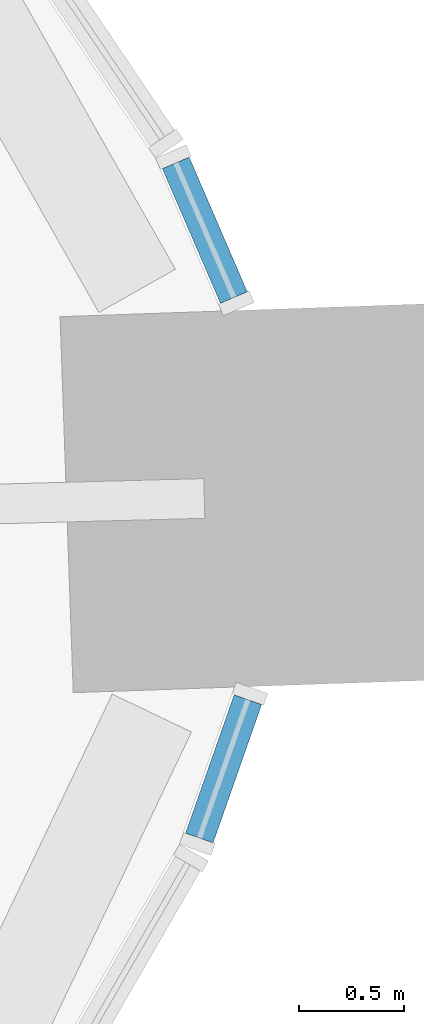
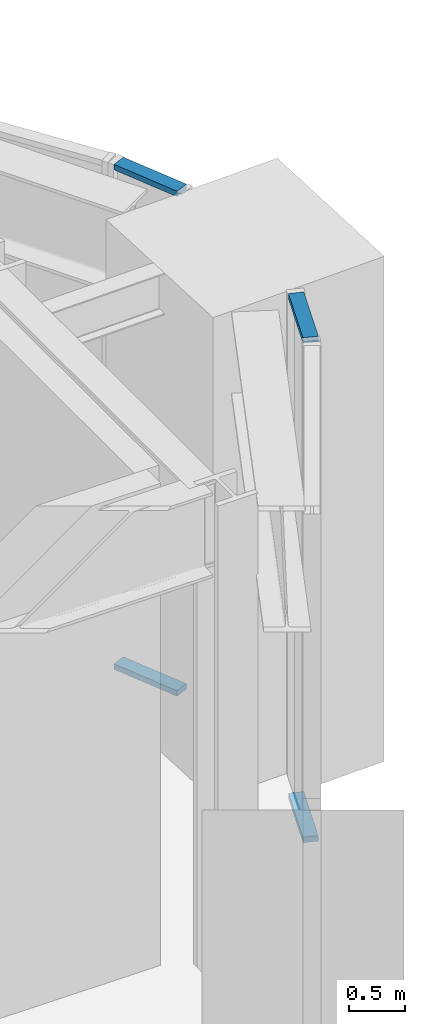
# One storey, part 13 of 30: 4 members, 2 elements without a shape of their own.
"""IFC4 building model written with IfcOpenShell, lengths in metres."""

from ifc_helpers import new_model, si_unit, direction, frame, origin, origin_2d, place, context, subcontext, project, spatial, rectangle, extrude, material, material_profile, profile_set, type_object, element, aggregate, save


model = new_model("IFC4")

# Units and contexts
model_context = context("Model", 3, precision=1e-05, world=origin(), true_north=direction((0.0, 1.0)))
body_context = subcontext(model_context, "Body", "Model", "MODEL_VIEW")
ifc_project = project(units=[si_unit("LENGTHUNIT", "METRE"), si_unit("AREAUNIT", "SQUARE_METRE"), si_unit("VOLUMEUNIT", "CUBIC_METRE"), si_unit("PLANEANGLEUNIT", "RADIAN"), si_unit("MASSUNIT", "GRAM", prefix="KILO")], contexts=[model_context])

# Site, building, storey
site_placement = place(None, origin())
site = spatial("IfcSite", under=ifc_project, at=site_placement, CompositionType="ELEMENT")
building_placement = place(site_placement, origin())
building = spatial("IfcBuilding", under=site, at=building_placement, Name="Tarnside Tower", CompositionType="ELEMENT")
storey_placement = place(building_placement, frame((0.0, 0.0, 20.5)))
storey = spatial("IfcBuildingStorey", under=building, at=storey_placement, Name="L03", CompositionType="ELEMENT", Elevation=20.5)

# Curtain wall, members
ifc_material_1 = material(Name="Retail shopfront glazing wall", Category="glass")
curtain_wall_type = type_object("IfcCurtainWallType", Name="Retail shopfront glazing wall", PredefinedType="NOTDEFINED", material=ifc_material_1)
curtain_wall_1_placement = place(storey_placement, origin())
curtain_wall_1 = element("IfcCurtainWall", 1, at=curtain_wall_1_placement, inside=storey, type_object=curtain_wall_type, Name="Retail shopfront glazing L03 18.1", PredefinedType="NOTDEFINED")
ifc_material_2 = material(Name="Aluminium alloy 6063", Category="aluminium")
ifc_material_profile = material_profile(ifc_material_2, rectangle(XDim=0.139892578125, YDim=0.06005859375, at=origin_2d()), Name="Retail shopfront glazing transom 60 x 140")
ifc_profile_set = profile_set([ifc_material_profile], Name="Aluminium alloy 6063")
member_type = type_object("IfcMemberType", Name="Retail shopfront glazing transom 60 x 140", PredefinedType="USERDEFINED", material=ifc_profile_set)
member_1_placement = place(storey_placement, frame((33.419921875, -0.449951171875, -0.219970703125), z_axis=(0.331017029232, 0.943624780492, 0.0), x_axis=(-0.943624780492, 0.331017029232, 0.0)))
member_1 = element("IfcMember", 2, at=member_1_placement, type_object=member_type, Name="CW2 transom 1.1", ObjectType="TRANSOM", PredefinedType="USERDEFINED", context=body_context, shape_type="SweptSolid", body=[
    extrude(rectangle(XDim=0.139892578125, YDim=0.06005859375, at=origin_2d()), origin(), (0.0, 0.0, 1.0), 0.701416015625),
])
member_2_placement = place(storey_placement, frame((33.419921875, -0.449951171875, 5.219970703125), z_axis=(0.331017029232, 0.943624780492, 0.0), x_axis=(-0.943624780492, 0.331017029232, 0.0)))
member_2 = element("IfcMember", 3, at=member_2_placement, type_object=member_type, Name="CW2 transom 1.2", ObjectType="TRANSOM", PredefinedType="USERDEFINED", context=body_context, shape_type="SweptSolid", body=[
    extrude(rectangle(XDim=0.139892578125, YDim=0.06005859375, at=origin_2d()), origin(), (0.0, 0.0, 1.0), 0.701416015625),
])
aggregate(curtain_wall_1, [member_1, member_2])

curtain_wall_2_placement = place(storey_placement, origin())
curtain_wall_2 = element("IfcCurtainWall", 4, at=curtain_wall_2_placement, inside=storey, type_object=curtain_wall_type, Name="Retail shopfront glazing L03 19.0", PredefinedType="NOTDEFINED")
member_3_placement = place(storey_placement, frame((33.5849609375, 2.135986328125, -0.219970703125), z_axis=(-0.396102619684, 0.918206248443, 0.0), x_axis=(-0.918206248443, -0.396102619684, 0.0)))
member_3 = element("IfcMember", 5, at=member_3_placement, type_object=member_type, Name="CW2 transom 1.1", ObjectType="TRANSOM", PredefinedType="USERDEFINED", context=body_context, shape_type="SweptSolid", body=[
    extrude(rectangle(XDim=0.139892578125, YDim=0.06005859375, at=origin_2d()), origin(), (0.0, 0.0, 1.0), 0.701416015625),
])
member_4_placement = place(storey_placement, frame((33.5849609375, 2.135986328125, 5.219970703125), z_axis=(-0.396102619684, 0.918206248443, 0.0), x_axis=(-0.918206248443, -0.396102619684, 0.0)))
member_4 = element("IfcMember", 6, at=member_4_placement, type_object=member_type, Name="CW2 transom 1.2", ObjectType="TRANSOM", PredefinedType="USERDEFINED", context=body_context, shape_type="SweptSolid", body=[
    extrude(rectangle(XDim=0.139892578125, YDim=0.06005859375, at=origin_2d()), origin(), (0.0, 0.0, 1.0), 0.701416015625),
])
aggregate(curtain_wall_2, [member_3, member_4])

save(model, "model.ifc")
